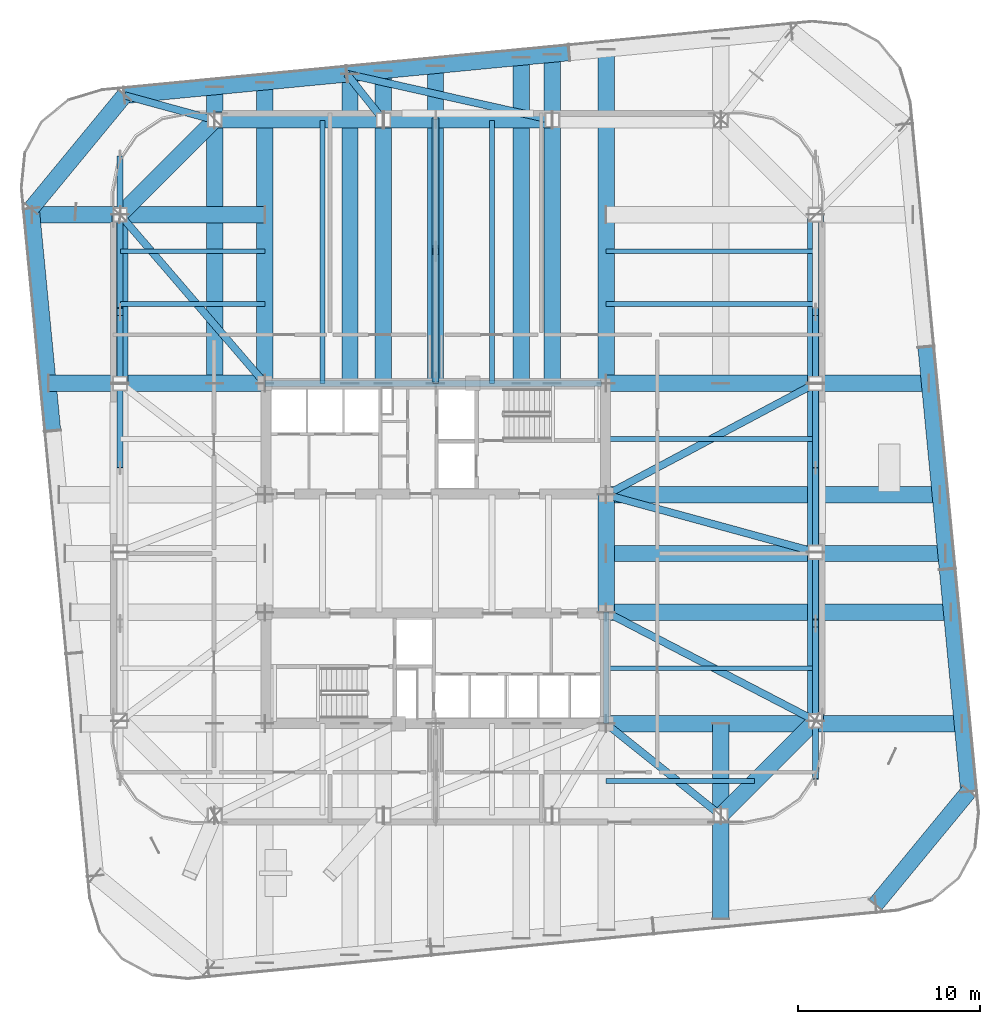
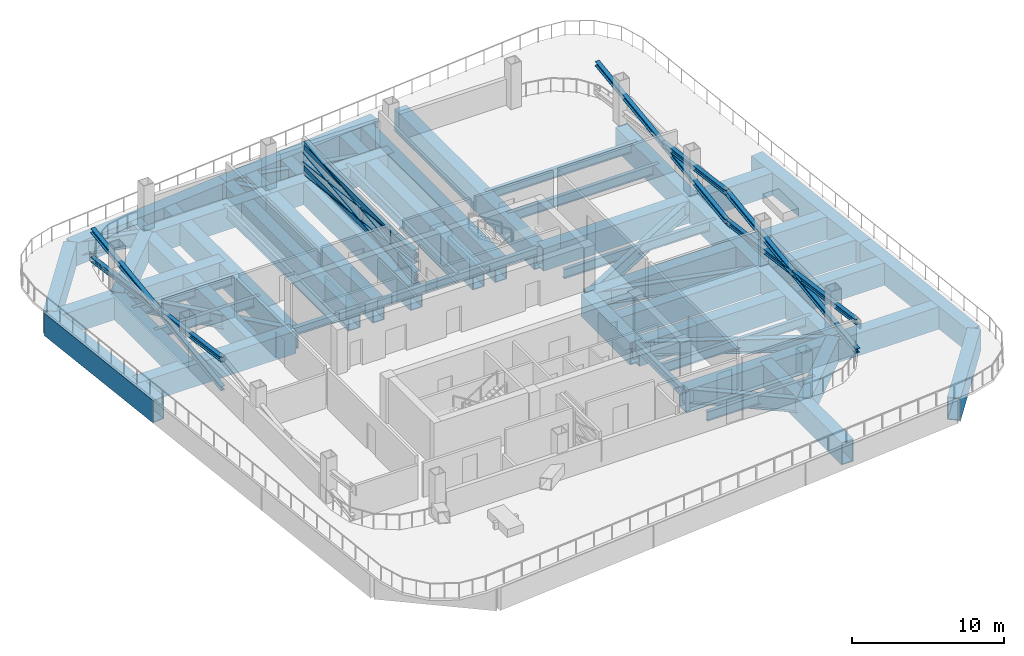
# One storey, part 2 of 15: 51 beams, 13 members.
"""IFC4 building model written with IfcOpenShell, lengths in metres."""

from ifc_helpers import new_model, si_unit, direction, frame, origin, origin_2d, place, context, subcontext, project, spatial, hollow_rectangle, i_section, extrude, material, material_profile, profile_set, type_object, element, save


model = new_model("IFC4")

# Units and contexts
model_context = context("Model", 3, precision=1e-05, world=origin(), true_north=direction((0.0, 1.0)))
body_context = subcontext(model_context, "Body", "Model", "MODEL_VIEW")
ifc_project = project(units=[si_unit("LENGTHUNIT", "METRE"), si_unit("AREAUNIT", "SQUARE_METRE"), si_unit("VOLUMEUNIT", "CUBIC_METRE"), si_unit("PLANEANGLEUNIT", "RADIAN"), si_unit("MASSUNIT", "GRAM", prefix="KILO")], contexts=[model_context])

# Site, building, storey
site_placement = place(None, origin())
site = spatial("IfcSite", under=ifc_project, at=site_placement, CompositionType="ELEMENT")
building_placement = place(site_placement, origin())
building = spatial("IfcBuilding", under=site, at=building_placement, Name="Qhalaya Broadcast Tower", CompositionType="ELEMENT")
storey_placement = place(building_placement, frame((0.0, 0.0, 101.25)))
storey = spatial("IfcBuildingStorey", under=building, at=storey_placement, Name="L29", CompositionType="ELEMENT", Elevation=101.25)

# Members
ifc_material_1 = material(Name="Structural Steel ASTM A572 Grade 50", Category="steel")
ifc_material_profile_1 = material_profile(ifc_material_1, i_section(OverallWidth=0.31298828125, OverallDepth=0.3798828125, WebThickness=0.01806640625, FlangeThickness=0.028076171875, at=origin_2d()), Name="W12X120")
ifc_profile_set_1 = profile_set([ifc_material_profile_1], Name="Structural Steel ASTM A572 Grade 50")
member_type_1 = type_object("IfcMemberType", Name="Belt-Truss Diagonal Brace OB2", PredefinedType="BRACE", material=ifc_profile_set_1)
member_1_placement = place(storey_placement, frame((-17.330078125, 5.31005859375, 0.449951171875), z_axis=(0.0, 0.990920942191, 0.134445849055), x_axis=(-1.0, 0.0, 0.0)))
element("IfcMember", 1, at=member_1_placement, inside=storey, type_object=member_type_1, Name="L29 Belt Truss Continuous Brace W2A", PredefinedType="BRACE", context=body_context, shape_type="SweptSolid", body=[
    extrude(i_section(OverallWidth=0.31298828125, OverallDepth=0.3798828125, WebThickness=0.01806640625, FlangeThickness=0.028076171875, at=origin_2d()), origin(), (0.0, 0.0, 1.0), 17.256591796875),
])
for number, where, z_axis, x_axis, name in (
    (2, (-17.330078125, 5.31005859375, 2.77001953125), (0.0, 0.990922519116, -0.134434225958), (-1.0, 0.0, 0.0), "L29 Belt Truss Split Brace W2B1"),
    (3, (-17.330078125, 14.077880859375, 1.580322265625), (0.0, 0.990922519116, -0.134434225958), (-1.0, 0.0, 0.0), "L29 Belt Truss Split Brace W2B2"),
):
    element("IfcMember", number, at=place(storey_placement, frame(where, z_axis=z_axis, x_axis=x_axis)), inside=storey, type_object=member_type_1, Name=name, PredefinedType="BRACE", context=body_context, shape_type="SweptSolid", body=[
        extrude(i_section(OverallWidth=0.31298828125, OverallDepth=0.3798828125, WebThickness=0.01806640625, FlangeThickness=0.028076171875, at=origin_2d()), origin(), (0.0, 0.0, 1.0), 8.408447265625),
    ])
member_2_placement = place(storey_placement, frame((20.8701171875, -11.7900390625, 0.449951171875), z_axis=(0.0, 0.990921197915, 0.134443964247), x_axis=(-1.0, 0.0, 0.0)))
element("IfcMember", 4, at=member_2_placement, inside=storey, type_object=member_type_1, Name="L29 Belt Truss Continuous Brace E1A", PredefinedType="BRACE", context=body_context, shape_type="SweptSolid", body=[
    extrude(i_section(OverallWidth=0.31298828125, OverallDepth=0.3798828125, WebThickness=0.01806640625, FlangeThickness=0.028076171875, at=origin_2d()), origin(), (0.0, 0.0, 1.0), 17.2568359375),
])
for number, where, z_axis, x_axis, name in (
    (5, (20.8701171875, -11.7900390625, 2.77001953125), (0.0, 0.990922519116, -0.134434225958), (-1.0, 0.0, 0.0), "L29 Belt Truss Split Brace E1B1"),
    (6, (20.8701171875, -3.02197265625, 1.580322265625), (0.0, 0.990922519116, -0.134434225958), (-1.0, 0.0, 0.0), "L29 Belt Truss Split Brace E1B2"),
):
    element("IfcMember", number, at=place(storey_placement, frame(where, z_axis=z_axis, x_axis=x_axis)), inside=storey, type_object=member_type_1, Name=name, PredefinedType="BRACE", context=body_context, shape_type="SweptSolid", body=[
        extrude(i_section(OverallWidth=0.31298828125, OverallDepth=0.3798828125, WebThickness=0.01806640625, FlangeThickness=0.028076171875, at=origin_2d()), origin(), (0.0, 0.0, 1.0), 8.408447265625),
    ])
member_3_placement = place(storey_placement, frame((20.8701171875, 5.31005859375, 0.449951171875), z_axis=(0.0, 0.990920942191, 0.134445849055), x_axis=(-1.0, 0.0, 0.0)))
element("IfcMember", 7, at=member_3_placement, inside=storey, type_object=member_type_1, Name="L29 Belt Truss Continuous Brace E2A", PredefinedType="BRACE", context=body_context, shape_type="SweptSolid", body=[
    extrude(i_section(OverallWidth=0.31298828125, OverallDepth=0.3798828125, WebThickness=0.01806640625, FlangeThickness=0.028076171875, at=origin_2d()), origin(), (0.0, 0.0, 1.0), 17.256591796875),
])
member_4_placement = place(storey_placement, frame((20.8701171875, 5.31005859375, 2.77001953125), z_axis=(0.0, 0.990922519116, -0.134434225958), x_axis=(-1.0, 0.0, 0.0)))
element("IfcMember", 8, at=member_4_placement, inside=storey, type_object=member_type_1, Name="L29 Belt Truss Split Brace E2B1", PredefinedType="BRACE", context=body_context, shape_type="SweptSolid", body=[
    extrude(i_section(OverallWidth=0.31298828125, OverallDepth=0.3798828125, WebThickness=0.01806640625, FlangeThickness=0.028076171875, at=origin_2d()), origin(), (0.0, 0.0, 1.0), 8.408447265625),
])

# Beams
ifc_material_profile_2 = material_profile(ifc_material_1, hollow_rectangle(XDim=0.89990234375, YDim=1.800048828125, WallThickness=0.06005859375, at=origin_2d()), Name="BOX 900x1800x60")
ifc_profile_set_2 = profile_set([ifc_material_profile_2], Name="Structural Steel ASTM A572 Grade 50")
beam_type_1 = type_object("IfcBeamType", Name="Block Cantilever Transfer Box Girder TG1", PredefinedType="USERDEFINED", material=ifc_profile_set_2)
beam_1_placement = place(storey_placement, frame((15.669921875, -13.7900390625, -1.179931640625), z_axis=(0.707123380132, 0.707090181851, 0.0), x_axis=(-0.707090181851, 0.707123380132, 0.0)))
element("IfcBeam", 9, at=beam_1_placement, inside=storey, type_object=beam_type_1, Name="L29 TG1 L29-SPR-04", ObjectType="GIRDER", PredefinedType="USERDEFINED", context=body_context, shape_type="SweptSolid", body=[
    extrude(hollow_rectangle(XDim=0.89990234375, YDim=1.800048828125, WallThickness=0.06005859375, at=origin_2d()), origin(), (0.0, 0.0, 1.0), 7.35400390625),
])
beam_2_placement = place(storey_placement, frame((20.8701171875, -8.590087890625, -1.179931640625), z_axis=(0.0, 1.0, 0.0), x_axis=(-1.0, 0.0, 0.0)))
element("IfcBeam", 10, at=beam_2_placement, inside=storey, type_object=beam_type_1, Name="L29 TG1 L29-SPR-05", ObjectType="GIRDER", PredefinedType="USERDEFINED", context=body_context, shape_type="SweptSolid", body=[
    extrude(hollow_rectangle(XDim=0.89990234375, YDim=1.800048828125, WallThickness=0.06005859375, at=origin_2d()), origin(), (0.0, 0.0, 1.0), 9.266845703125),
])
for number, where, z_axis, x_axis, name in (
    (11, (20.8701171875, 0.6767578125, -1.179931640625), (0.0, 1.0, 0.0), (-1.0, 0.0, 0.0), "L29 TG1 L29-SPR-06"),
    (12, (20.8701171875, 9.943359375, -1.179931640625), (0.0, 1.0, 0.0), (-1.0, 0.0, 0.0), "L29 TG1 L29-SPR-07"),
    (13, (6.4033203125, 24.409912109375, -1.179931640625), (-1.0, 0.0, 0.0), (0.0, -1.0, 0.0), "L29 TG1 L29-SPR-10"),
    (14, (-2.86328125, 24.409912109375, -1.179931640625), (-1.0, 0.0, 0.0), (0.0, -1.0, 0.0), "L29 TG1 L29-SPR-11"),
):
    element("IfcBeam", number, at=place(storey_placement, frame(where, z_axis=z_axis, x_axis=x_axis)), inside=storey, type_object=beam_type_1, Name=name, ObjectType="GIRDER", PredefinedType="USERDEFINED", context=body_context, shape_type="SweptSolid", body=[
        extrude(hollow_rectangle(XDim=0.89990234375, YDim=1.800048828125, WallThickness=0.06005859375, at=origin_2d()), origin(), (0.0, 0.0, 1.0), 9.2666015625),
    ])
beam_3_placement = place(storey_placement, frame((-12.1298828125, 24.409912109375, -1.179931640625), z_axis=(-0.707123380132, -0.707090181851, 0.0), x_axis=(0.707090181851, -0.707123380132, 0.0)))
element("IfcBeam", 15, at=beam_3_placement, inside=storey, type_object=beam_type_1, Name="L29 TG1 L29-SPR-12", ObjectType="GIRDER", PredefinedType="USERDEFINED", context=body_context, shape_type="SweptSolid", body=[
    extrude(hollow_rectangle(XDim=0.89990234375, YDim=1.800048828125, WallThickness=0.06005859375, at=origin_2d()), origin(), (0.0, 0.0, 1.0), 7.35400390625),
])
beam_4_placement = place(storey_placement, frame((-17.330078125, 19.2099609375, -1.179931640625), z_axis=(0.0, -1.0, 0.0), x_axis=(1.0, 0.0, 0.0)))
element("IfcBeam", 16, at=beam_4_placement, inside=storey, type_object=beam_type_1, Name="L29 TG1 L29-SPR-13", ObjectType="GIRDER", PredefinedType="USERDEFINED", context=body_context, shape_type="SweptSolid", body=[
    extrude(hollow_rectangle(XDim=0.89990234375, YDim=1.800048828125, WallThickness=0.06005859375, at=origin_2d()), origin(), (0.0, 0.0, 1.0), 9.2666015625),
])
beam_5_placement = place(storey_placement, frame((24.165283203125, -18.685546875, -1.179931640625), z_axis=(0.636052208619, 0.771646025008, 0.0), x_axis=(-0.771646025008, 0.636052208619, 0.0)))
element("IfcBeam", 17, at=beam_5_placement, inside=storey, type_object=beam_type_1, Name="L29 TG1 L29-TGL-04", ObjectType="GIRDER", PredefinedType="USERDEFINED", context=body_context, shape_type="SweptSolid", body=[
    extrude(hollow_rectangle(XDim=0.89990234375, YDim=1.800048828125, WallThickness=0.06005859375, at=origin_2d()), origin(), (0.0, 0.0, 1.0), 8.06103515625),
])
for number, where, z_axis, x_axis, name in (
    (18, (29.29248046875, -12.46533203125, -1.179931640625), (-0.095831866369, 0.995397535354, 0.0), (-0.995397535354, -0.095831866369, 0.0), "L29 TG1 L29-TGL-05"),
    (19, (28.116943359375, -0.255126953125, -1.179931640625), (-0.095851586307, 0.99539563662, 0.0), (-0.99539563662, -0.095851586307, 0.0), "L29 TG1 L29-TGL-06"),
    (20, (7.335205078125, 28.116943359375, -1.179931640625), (-0.99539563662, -0.095851586307, 0.0), (0.095851586307, -0.99539563662, 0.0), "L29 TG1 L29-TGL-10"),
    (21, (-4.875, 26.941162109375, -1.179931640625), (-0.99539563662, -0.095851586307, 0.0), (0.095851586307, -0.99539563662, 0.0), "L29 TG1 L29-TGL-11"),
):
    element("IfcBeam", number, at=place(storey_placement, frame(where, z_axis=z_axis, x_axis=x_axis)), inside=storey, type_object=beam_type_1, Name=name, ObjectType="GIRDER", PredefinedType="USERDEFINED", context=body_context, shape_type="SweptSolid", body=[
        extrude(hollow_rectangle(XDim=0.89990234375, YDim=1.800048828125, WallThickness=0.06005859375, at=origin_2d()), origin(), (0.0, 0.0, 1.0), 12.2666015625),
    ])
beam_6_placement = place(storey_placement, frame((-17.085205078125, 25.765380859375, -1.179931640625), z_axis=(-0.636085107008, -0.771618906354, 0.0), x_axis=(0.771618906354, -0.636085107008, 0.0)))
element("IfcBeam", 22, at=beam_6_placement, inside=storey, type_object=beam_type_1, Name="L29 TG1 L29-TGL-12", ObjectType="GIRDER", PredefinedType="USERDEFINED", context=body_context, shape_type="SweptSolid", body=[
    extrude(hollow_rectangle(XDim=0.89990234375, YDim=1.800048828125, WallThickness=0.06005859375, at=origin_2d()), origin(), (0.0, 0.0, 1.0), 8.06103515625),
])
beam_7_placement = place(storey_placement, frame((-22.212646484375, 19.54541015625, -1.179931640625), z_axis=(0.095851586307, -0.99539563662, 0.0), x_axis=(0.99539563662, 0.095851586307, 0.0)))
element("IfcBeam", 23, at=beam_7_placement, inside=storey, type_object=beam_type_1, Name="L29 TG1 L29-TGL-13", ObjectType="GIRDER", PredefinedType="USERDEFINED", context=body_context, shape_type="SweptSolid", body=[
    extrude(hollow_rectangle(XDim=0.89990234375, YDim=1.800048828125, WallThickness=0.06005859375, at=origin_2d()), origin(), (0.0, 0.0, 1.0), 12.2666015625),
])
beam_8_placement = place(storey_placement, frame((-9.375, 9.949951171875, -1.179931640625), z_axis=(0.0, 1.0, 0.0), x_axis=(-1.0, 0.0, 0.0)))
element("IfcBeam", 24, at=beam_8_placement, inside=storey, type_object=beam_type_1, Name="L29 TG1 L29-TGINW-1", ObjectType="GIRDER", PredefinedType="USERDEFINED", context=body_context, shape_type="SweptSolid", body=[
    extrude(hollow_rectangle(XDim=0.89990234375, YDim=1.800048828125, WallThickness=0.06005859375, at=origin_2d()), origin(), (0.0, 0.0, 1.0), 16.517822265625),
])
beam_9_placement = place(storey_placement, frame((9.375, 9.949951171875, -1.179931640625), z_axis=(0.0, 1.0, 0.0), x_axis=(-1.0, 0.0, 0.0)))
element("IfcBeam", 25, at=beam_9_placement, inside=storey, type_object=beam_type_1, Name="L29 TG1 L29-TGINE-1", ObjectType="GIRDER", PredefinedType="USERDEFINED", context=body_context, shape_type="SweptSolid", body=[
    extrude(hollow_rectangle(XDim=0.89990234375, YDim=1.800048828125, WallThickness=0.06005859375, at=origin_2d()), origin(), (0.0, 0.0, 1.0), 18.3232421875),
])
beam_10_placement = place(storey_placement, frame((0.0, 9.949951171875, -1.179931640625), z_axis=(0.0, 1.0, 0.0), x_axis=(-1.0, 0.0, 0.0)))
element("IfcBeam", 26, at=beam_10_placement, inside=storey, type_object=beam_type_1, Name="L29 TG1 L29-TGIMN-1", ObjectType="GIRDER", PredefinedType="USERDEFINED", context=body_context, shape_type="SweptSolid", body=[
    extrude(hollow_rectangle(XDim=0.89990234375, YDim=1.800048828125, WallThickness=0.06005859375, at=origin_2d()), origin(), (0.0, 0.0, 1.0), 17.42041015625),
])
beam_11_placement = place(storey_placement, frame((-4.699951171875, 9.949951171875, -1.179931640625), z_axis=(0.0, 1.0, 0.0), x_axis=(-1.0, 0.0, 0.0)))
element("IfcBeam", 27, at=beam_11_placement, inside=storey, type_object=beam_type_1, Name="L29 TG1 L29-TGIMNW-1", ObjectType="GIRDER", PredefinedType="USERDEFINED", context=body_context, shape_type="SweptSolid", body=[
    extrude(hollow_rectangle(XDim=0.89990234375, YDim=1.800048828125, WallThickness=0.06005859375, at=origin_2d()), origin(), (0.0, 0.0, 1.0), 16.968017578125),
])
beam_12_placement = place(storey_placement, frame((4.699951171875, 9.949951171875, -1.179931640625), z_axis=(0.0, 1.0, 0.0), x_axis=(-1.0, 0.0, 0.0)))
element("IfcBeam", 28, at=beam_12_placement, inside=storey, type_object=beam_type_1, Name="L29 TG1 L29-TGIMNE-1", ObjectType="GIRDER", PredefinedType="USERDEFINED", context=body_context, shape_type="SweptSolid", body=[
    extrude(hollow_rectangle(XDim=0.89990234375, YDim=1.800048828125, WallThickness=0.06005859375, at=origin_2d()), origin(), (0.0, 0.0, 1.0), 17.873046875),
])
beam_13_placement = place(storey_placement, frame((9.375, 0.60009765625, -1.179931640625), z_axis=(1.0, 0.0, 0.0), x_axis=(0.0, 1.0, 0.0)))
element("IfcBeam", 29, at=beam_13_placement, inside=storey, type_object=beam_type_1, Name="L29 TG1 L29-TGIYE-1", ObjectType="GIRDER", PredefinedType="USERDEFINED", context=body_context, shape_type="SweptSolid", body=[
    extrude(hollow_rectangle(XDim=0.89990234375, YDim=1.800048828125, WallThickness=0.06005859375, at=origin_2d()), origin(), (0.0, 0.0, 1.0), 18.619384765625),
])
beam_14_placement = place(storey_placement, frame((9.375, -2.625, -1.179931640625), z_axis=(0.0, 1.0, 0.0), x_axis=(-1.0, 0.0, 0.0)))
element("IfcBeam", 30, at=beam_14_placement, inside=storey, type_object=beam_type_1, Name="L29 TG1 L29-TGIME-1", ObjectType="GIRDER", PredefinedType="USERDEFINED", context=body_context, shape_type="SweptSolid", body=[
    extrude(hollow_rectangle(XDim=0.89990234375, YDim=1.800048828125, WallThickness=0.06005859375, at=origin_2d()), origin(), (0.0, 0.0, 1.0), 6.449951171875),
])
beam_15_placement = place(storey_placement, frame((9.375, -8.75, -1.179931640625), z_axis=(1.0, 0.0, 0.0), x_axis=(0.0, 1.0, 0.0)))
element("IfcBeam", 31, at=beam_15_placement, inside=storey, type_object=beam_type_1, Name="L29 TG1 L29-TGIY1E-1", ObjectType="GIRDER", PredefinedType="USERDEFINED", context=body_context, shape_type="SweptSolid", body=[
    extrude(hollow_rectangle(XDim=0.89990234375, YDim=1.800048828125, WallThickness=0.06005859375, at=origin_2d()), origin(), (0.0, 0.0, 1.0), 19.519775390625),
])
beam_16_placement = place(storey_placement, frame((9.375, -2.625, -1.179931640625), z_axis=(1.0, 0.0, 0.0), x_axis=(0.0, 1.0, 0.0)))
element("IfcBeam", 32, at=beam_16_placement, inside=storey, type_object=beam_type_1, Name="L29 TG1 L29-TGIY2E-1", ObjectType="GIRDER", PredefinedType="USERDEFINED", context=body_context, shape_type="SweptSolid", body=[
    extrude(hollow_rectangle(XDim=0.89990234375, YDim=1.800048828125, WallThickness=0.06005859375, at=origin_2d()), origin(), (0.0, 0.0, 1.0), 18.929931640625),
])
beam_17_placement = place(storey_placement, frame((9.375, 3.824951171875, -1.179931640625), z_axis=(1.0, 0.0, 0.0), x_axis=(0.0, 1.0, 0.0)))
element("IfcBeam", 33, at=beam_17_placement, inside=storey, type_object=beam_type_1, Name="L29 TG1 L29-TGIY3E-1", ObjectType="GIRDER", PredefinedType="USERDEFINED", context=body_context, shape_type="SweptSolid", body=[
    extrude(hollow_rectangle(XDim=0.89990234375, YDim=1.800048828125, WallThickness=0.06005859375, at=origin_2d()), origin(), (0.0, 0.0, 1.0), 18.308837890625),
])
beam_18_placement = place(storey_placement, frame((-21.24853515625, 9.949951171875, -1.179931640625), z_axis=(1.0, 0.0, 0.0), x_axis=(0.0, 1.0, 0.0)))
element("IfcBeam", 34, at=beam_18_placement, inside=storey, type_object=beam_type_1, Name="L29 TG1 L29-TGIY4W-1", ObjectType="GIRDER", PredefinedType="USERDEFINED", context=body_context, shape_type="SweptSolid", body=[
    extrude(hollow_rectangle(XDim=0.89990234375, YDim=1.800048828125, WallThickness=0.06005859375, at=origin_2d()), origin(), (0.0, 0.0, 1.0), 11.87353515625),
])
beam_19_placement = place(storey_placement, frame((9.375, 9.949951171875, -1.179931640625), z_axis=(1.0, 0.0, 0.0), x_axis=(0.0, 1.0, 0.0)))
element("IfcBeam", 35, at=beam_19_placement, inside=storey, type_object=beam_type_1, Name="L29 TG1 L29-TGIY4E-1", ObjectType="GIRDER", PredefinedType="USERDEFINED", context=body_context, shape_type="SweptSolid", body=[
    extrude(hollow_rectangle(XDim=0.89990234375, YDim=1.800048828125, WallThickness=0.06005859375, at=origin_2d()), origin(), (0.0, 0.0, 1.0), 17.718994140625),
])
beam_20_placement = place(storey_placement, frame((15.669921875, -19.46337890625, -1.179931640625), z_axis=(0.0, 1.0, 0.0), x_axis=(-1.0, 0.0, 0.0)))
element("IfcBeam", 36, at=beam_20_placement, inside=storey, type_object=beam_type_1, Name="L29 Spanning Transfer Box Girder 04", ObjectType="GIRDER", PredefinedType="USERDEFINED", context=body_context, shape_type="SweptSolid", body=[
    extrude(hollow_rectangle(XDim=0.89990234375, YDim=1.800048828125, WallThickness=0.06005859375, at=origin_2d()), origin(), (0.0, 0.0, 1.0), 10.71337890625),
])
beam_21_placement = place(storey_placement, frame((6.4033203125, 9.949951171875, -1.179931640625), z_axis=(0.0, 1.0, 0.0), x_axis=(-1.0, 0.0, 0.0)))
element("IfcBeam", 37, at=beam_21_placement, inside=storey, type_object=beam_type_1, Name="L29 Spanning Transfer Box Girder 10", ObjectType="GIRDER", PredefinedType="USERDEFINED", context=body_context, shape_type="SweptSolid", body=[
    extrude(hollow_rectangle(XDim=0.89990234375, YDim=1.800048828125, WallThickness=0.06005859375, at=origin_2d()), origin(), (0.0, 0.0, 1.0), 18.037109375),
])
beam_22_placement = place(storey_placement, frame((-2.86328125, 9.949951171875, -1.179931640625), z_axis=(0.0, 1.0, 0.0), x_axis=(-1.0, 0.0, 0.0)))
element("IfcBeam", 38, at=beam_22_placement, inside=storey, type_object=beam_type_1, Name="L29 Spanning Transfer Box Girder 11", ObjectType="GIRDER", PredefinedType="USERDEFINED", context=body_context, shape_type="SweptSolid", body=[
    extrude(hollow_rectangle(XDim=0.89990234375, YDim=1.800048828125, WallThickness=0.06005859375, at=origin_2d()), origin(), (0.0, 0.0, 1.0), 17.144775390625),
])
beam_23_placement = place(storey_placement, frame((-12.1298828125, 9.949951171875, -1.179931640625), z_axis=(0.0, 1.0, 0.0), x_axis=(-1.0, 0.0, 0.0)))
element("IfcBeam", 39, at=beam_23_placement, inside=storey, type_object=beam_type_1, Name="L29 Spanning Transfer Box Girder 12", ObjectType="GIRDER", PredefinedType="USERDEFINED", context=body_context, shape_type="SweptSolid", body=[
    extrude(hollow_rectangle(XDim=0.89990234375, YDim=1.800048828125, WallThickness=0.06005859375, at=origin_2d()), origin(), (0.0, 0.0, 1.0), 16.25244140625),
])
beam_24_placement = place(storey_placement, frame((-22.14013671875, 19.2099609375, -1.179931640625), z_axis=(1.0, 0.0, 0.0), x_axis=(0.0, 1.0, 0.0)))
element("IfcBeam", 40, at=beam_24_placement, inside=storey, type_object=beam_type_1, Name="L29 Spanning Transfer Box Girder 13", ObjectType="GIRDER", PredefinedType="USERDEFINED", context=body_context, shape_type="SweptSolid", body=[
    extrude(hollow_rectangle(XDim=0.89990234375, YDim=1.800048828125, WallThickness=0.06005859375, at=origin_2d()), origin(), (0.0, 0.0, 1.0), 12.76513671875),
])
ifc_material_2 = material(Name="Structural Steel ASTM A992 Grade 50", Category="steel")
ifc_material_profile_3 = material_profile(ifc_material_2, i_section(OverallWidth=0.323974609375, OverallDepth=0.612060546875, WebThickness=0.0126953125, FlangeThickness=0.01904296875, at=origin_2d()), Name="W24X104")
ifc_profile_set_3 = profile_set([ifc_material_profile_3], Name="Structural Steel ASTM A992 Grade 50")
beam_type_2 = type_object("IfcBeamType", Name="Core Frame Tie Beam B04", PredefinedType="BEAM", material=ifc_profile_set_3)
beam_25_placement = place(storey_placement, frame((-9.375, 9.949951171875, -0.5859375), z_axis=(1.0, 0.0, 0.0), x_axis=(0.0, 1.0, 0.0)))
element("IfcBeam", 41, at=beam_25_placement, inside=storey, type_object=beam_type_2, Name="L29 B04 L29-CCN3", PredefinedType="BEAM", context=body_context, shape_type="SweptSolid", body=[
    extrude(i_section(OverallWidth=0.323974609375, OverallDepth=0.612060546875, WebThickness=0.0126953125, FlangeThickness=0.01904296875, at=origin_2d()), origin(), (0.0, 0.0, 1.0), 18.4951171875),
])
beam_26_placement = place(storey_placement, frame((9.375, -8.75, -0.5859375), z_axis=(0.0, 1.0, 0.0), x_axis=(-1.0, 0.0, 0.0)))
element("IfcBeam", 42, at=beam_26_placement, inside=storey, type_object=beam_type_2, Name="L29 B04 L29-CCS2", PredefinedType="BEAM", context=body_context, shape_type="SweptSolid", body=[
    extrude(i_section(OverallWidth=0.323974609375, OverallDepth=0.612060546875, WebThickness=0.0126953125, FlangeThickness=0.01904296875, at=origin_2d()), origin(), (0.0, 0.0, 1.0), 6.125),
])

# Members
ifc_material_profile_4 = material_profile(ifc_material_1, i_section(OverallWidth=0.40087890625, OverallDepth=1.0009765625, WebThickness=0.01904296875, FlangeThickness=0.0361328125, at=origin_2d()), Name="W40X249")
ifc_profile_set_4 = profile_set([ifc_material_profile_4], Name="Structural Steel ASTM A572 Grade 50")
member_type_2 = type_object("IfcMemberType", Name="Core-to-Perimeter Outrigger Brace OB1", PredefinedType="BRACE", material=ifc_profile_set_4)
member_5_placement = place(storey_placement, frame((0.0, 9.949951171875, 0.449951171875), z_axis=(0.0, 0.993285914912, 0.115685311242), x_axis=(-1.0, 0.0, 0.0)))
element("IfcMember", 43, at=member_5_placement, inside=storey, type_object=member_type_2, Name="L29 Outrigger Continuous Diagonal NCA", PredefinedType="BRACE", context=body_context, shape_type="SweptSolid", body=[
    extrude(i_section(OverallWidth=0.40087890625, OverallDepth=1.0009765625, WebThickness=0.01904296875, FlangeThickness=0.0361328125, at=origin_2d()), origin(), (0.0, 0.0, 1.0), 14.608154296875),
])
for number, where, z_axis, x_axis, name in (
    (44, (0.0, 9.949951171875, 2.139892578125), (0.0, 0.993286985943, -0.11567611489), (-1.0, 0.0, 0.0), "L29 Outrigger Split Diagonal NCB1"),
    (45, (0.0, 17.443359375, 1.26708984375), (0.0, 0.993286985943, -0.11567611489), (-1.0, 0.0, 0.0), "L29 Outrigger Split Diagonal NCB2"),
):
    element("IfcMember", number, at=place(storey_placement, frame(where, z_axis=z_axis, x_axis=x_axis)), inside=storey, type_object=member_type_2, Name=name, PredefinedType="BRACE", context=body_context, shape_type="SweptSolid", body=[
        extrude(i_section(OverallWidth=0.40087890625, OverallDepth=1.0009765625, WebThickness=0.01904296875, FlangeThickness=0.0361328125, at=origin_2d()), origin(), (0.0, 0.0, 1.0), 7.06396484375),
    ])
ifc_material_profile_5 = material_profile(ifc_material_1, hollow_rectangle(XDim=0.300048828125, YDim=0.39990234375, WallThickness=0.02001953125, at=origin_2d()), Name="HSS 300x400x20")
ifc_profile_set_5 = profile_set([ifc_material_profile_5], Name="Structural Steel ASTM A572 Grade 50")
member_type_3 = type_object("IfcMemberType", Name="Outrigger & Belt-Truss Chord CH1", PredefinedType="CHORD", material=ifc_profile_set_5)
for number, where, z_axis, x_axis, name in (
    (46, (0.0, 9.949951171875, 0.449951171875), (0.0, 1.0, 0.0), (-1.0, 0.0, 0.0), "L29 Outrigger Bottom Chord NC"),
    (47, (0.0, 9.949951171875, 2.139892578125), (0.0, 1.0, 0.0), (-1.0, 0.0, 0.0), "L29 Outrigger Top Chord NC"),
):
    element("IfcMember", number, at=place(storey_placement, frame(where, z_axis=z_axis, x_axis=x_axis)), inside=storey, type_object=member_type_3, Name=name, PredefinedType="CHORD", context=body_context, shape_type="SweptSolid", body=[
        extrude(hollow_rectangle(XDim=0.300048828125, YDim=0.39990234375, WallThickness=0.02001953125, at=origin_2d()), origin(), (0.0, 0.0, 1.0), 14.510009765625),
    ])

# Beams
ifc_material_profile_6 = material_profile(ifc_material_2, i_section(OverallWidth=0.26708984375, OverallDepth=0.761962890625, WebThickness=0.014404296875, FlangeThickness=0.021484375, at=origin_2d()), Name="W30X116")
ifc_profile_set_6 = profile_set([ifc_material_profile_6], Name="Structural Steel ASTM A992 Grade 50")
beam_type_3 = type_object("IfcBeamType", Name="Plant & Server Floor Beam B02", PredefinedType="BEAM", material=ifc_profile_set_6)
for number, where, z_axis, x_axis, name in (
    (48, (-6.199951171875, 9.949951171875, -0.660888671875), (0.0, 1.0, 0.0), (-1.0, 0.0, 0.0), "L29 B02 L29-JNN1-1"),
    (49, (3.10009765625, 9.949951171875, -0.660888671875), (0.0, 1.0, 0.0), (-1.0, 0.0, 0.0), "L29 B02 L29-JNN4-1"),
):
    element("IfcBeam", number, at=place(storey_placement, frame(where, z_axis=z_axis, x_axis=x_axis)), inside=storey, type_object=beam_type_3, Name=name, PredefinedType="BEAM", context=body_context, shape_type="SweptSolid", body=[
        extrude(i_section(OverallWidth=0.26708984375, OverallDepth=0.761962890625, WebThickness=0.014404296875, FlangeThickness=0.021484375, at=origin_2d()), origin(), (0.0, 0.0, 1.0), 14.43994140625),
    ])
beam_27_placement = place(storey_placement, frame((9.375, -11.89990234375, -0.660888671875), z_axis=(1.0, 0.0, 0.0), x_axis=(0.0, 1.0, 0.0)))
element("IfcBeam", 50, at=beam_27_placement, inside=storey, type_object=beam_type_3, Name="L29 B02 L29-JWE2E-1", PredefinedType="BEAM", context=body_context, shape_type="SweptSolid", body=[
    extrude(i_section(OverallWidth=0.26708984375, OverallDepth=0.761962890625, WebThickness=0.014404296875, FlangeThickness=0.021484375, at=origin_2d()), origin(), (0.0, 0.0, 1.0), 8.15673828125),
])
for number, where, z_axis, x_axis, name in (
    (51, (9.375, -5.699951171875, -0.660888671875), (1.0, 0.0, 0.0), (0.0, 1.0, 0.0), "L29 B02 L29-JWE3E-1"),
    (52, (9.375, 6.89990234375, -0.660888671875), (1.0, 0.0, 0.0), (0.0, 1.0, 0.0), "L29 B02 L29-JWE5E-1"),
):
    element("IfcBeam", number, at=place(storey_placement, frame(where, z_axis=z_axis, x_axis=x_axis)), inside=storey, type_object=beam_type_3, Name=name, PredefinedType="BEAM", context=body_context, shape_type="SweptSolid", body=[
        extrude(i_section(OverallWidth=0.26708984375, OverallDepth=0.761962890625, WebThickness=0.014404296875, FlangeThickness=0.021484375, at=origin_2d()), origin(), (0.0, 0.0, 1.0), 11.47509765625),
    ])
beam_28_placement = place(storey_placement, frame((-17.31005859375, 14.300048828125, -0.660888671875), z_axis=(1.0, 0.0, 0.0), x_axis=(0.0, 1.0, 0.0)))
element("IfcBeam", 53, at=beam_28_placement, inside=storey, type_object=beam_type_3, Name="L29 B02 L29-JWE6W-1", PredefinedType="BEAM", context=body_context, shape_type="SweptSolid", body=[
    extrude(i_section(OverallWidth=0.26708984375, OverallDepth=0.761962890625, WebThickness=0.014404296875, FlangeThickness=0.021484375, at=origin_2d()), origin(), (0.0, 0.0, 1.0), 7.93505859375),
])
beam_29_placement = place(storey_placement, frame((9.375, 14.300048828125, -0.660888671875), z_axis=(1.0, 0.0, 0.0), x_axis=(0.0, 1.0, 0.0)))
element("IfcBeam", 54, at=beam_29_placement, inside=storey, type_object=beam_type_3, Name="L29 B02 L29-JWE6E-1", PredefinedType="BEAM", context=body_context, shape_type="SweptSolid", body=[
    extrude(i_section(OverallWidth=0.26708984375, OverallDepth=0.761962890625, WebThickness=0.014404296875, FlangeThickness=0.021484375, at=origin_2d()), origin(), (0.0, 0.0, 1.0), 11.47509765625),
])
beam_30_placement = place(storey_placement, frame((-17.31005859375, 17.199951171875, -0.660888671875), z_axis=(1.0, 0.0, 0.0), x_axis=(0.0, 1.0, 0.0)))
element("IfcBeam", 55, at=beam_30_placement, inside=storey, type_object=beam_type_3, Name="L29 B02 L29-JWE7W-1", PredefinedType="BEAM", context=body_context, shape_type="SweptSolid", body=[
    extrude(i_section(OverallWidth=0.26708984375, OverallDepth=0.761962890625, WebThickness=0.014404296875, FlangeThickness=0.021484375, at=origin_2d()), origin(), (0.0, 0.0, 1.0), 7.93505859375),
])
beam_31_placement = place(storey_placement, frame((9.375, 17.199951171875, -0.660888671875), z_axis=(1.0, 0.0, 0.0), x_axis=(0.0, 1.0, 0.0)))
element("IfcBeam", 56, at=beam_31_placement, inside=storey, type_object=beam_type_3, Name="L29 B02 L29-JWE7E-1", PredefinedType="BEAM", context=body_context, shape_type="SweptSolid", body=[
    extrude(i_section(OverallWidth=0.26708984375, OverallDepth=0.761962890625, WebThickness=0.014404296875, FlangeThickness=0.021484375, at=origin_2d()), origin(), (0.0, 0.0, 1.0), 11.47509765625),
])
ifc_material_profile_7 = material_profile(ifc_material_2, i_section(OverallWidth=0.404052734375, OverallDepth=1.117919921875, WebThickness=0.026123046875, FlangeThickness=0.044921875, at=origin_2d()), Name="W44X335")
ifc_profile_set_7 = profile_set([ifc_material_profile_7], Name="Structural Steel ASTM A992 Grade 50")
beam_type_4 = type_object("IfcBeamType", Name="Podium Long-Span Primary Girder PG1", PredefinedType="USERDEFINED", material=ifc_profile_set_7)
beam_32_placement = place(storey_placement, frame((9.375, -8.75, -0.839111328125), z_axis=(0.780620637347, -0.625005136417, 0.0), x_axis=(0.625005136417, 0.780620637347, 0.0)))
element("IfcBeam", 57, at=beam_32_placement, inside=storey, type_object=beam_type_4, Name="L29 Column-to-Column Moment Tie Girder 04-1", ObjectType="GIRDER", PredefinedType="USERDEFINED", context=body_context, shape_type="SweptSolid", body=[
    extrude(i_section(OverallWidth=0.404052734375, OverallDepth=1.117919921875, WebThickness=0.026123046875, FlangeThickness=0.044921875, at=origin_2d()), origin(), (0.0, 0.0, 1.0), 8.06396484375),
])
beam_33_placement = place(storey_placement, frame((9.375, -2.625, -0.839111328125), z_axis=(0.887607545836, -0.460600526026, 0.0), x_axis=(0.460600526026, 0.887607545836, 0.0)))
element("IfcBeam", 58, at=beam_33_placement, inside=storey, type_object=beam_type_4, Name="L29 Column-to-Column Moment Tie Girder 05-2", ObjectType="GIRDER", PredefinedType="USERDEFINED", context=body_context, shape_type="SweptSolid", body=[
    extrude(i_section(OverallWidth=0.404052734375, OverallDepth=1.117919921875, WebThickness=0.026123046875, FlangeThickness=0.044921875, at=origin_2d()), origin(), (0.0, 0.0, 1.0), 12.95068359375),
])
beam_34_placement = place(storey_placement, frame((9.375, 3.824951171875, -0.839111328125), z_axis=(0.964482953901, -0.264145095798, 0.0), x_axis=(0.264145095798, 0.964482953901, 0.0)))
element("IfcBeam", 59, at=beam_34_placement, inside=storey, type_object=beam_type_4, Name="L29 Column-to-Column Moment Tie Girder 06-1", ObjectType="GIRDER", PredefinedType="USERDEFINED", context=body_context, shape_type="SweptSolid", body=[
    extrude(i_section(OverallWidth=0.404052734375, OverallDepth=1.117919921875, WebThickness=0.026123046875, FlangeThickness=0.044921875, at=origin_2d()), origin(), (0.0, 0.0, 1.0), 11.91845703125),
])
beam_35_placement = place(storey_placement, frame((9.375, 3.824951171875, -0.839111328125), z_axis=(0.882745504881, 0.46985143781, 0.0), x_axis=(-0.46985143781, 0.882745504881, 0.0)))
element("IfcBeam", 60, at=beam_35_placement, inside=storey, type_object=beam_type_4, Name="L29 Column-to-Column Moment Tie Girder 07-1", ObjectType="GIRDER", PredefinedType="USERDEFINED", context=body_context, shape_type="SweptSolid", body=[
    extrude(i_section(OverallWidth=0.404052734375, OverallDepth=1.117919921875, WebThickness=0.026123046875, FlangeThickness=0.044921875, at=origin_2d()), origin(), (0.0, 0.0, 1.0), 13.02197265625),
])
beam_36_placement = place(storey_placement, frame((-4.875, 26.941162109375, -0.839111328125), z_axis=(0.975727674118, -0.218987456171, 0.0), x_axis=(0.218987456171, 0.975727674118, 0.0)))
element("IfcBeam", 61, at=beam_36_placement, inside=storey, type_object=beam_type_4, Name="L29 Column-to-Column Moment Tie Girder 10-2", ObjectType="GIRDER", PredefinedType="USERDEFINED", context=body_context, shape_type="SweptSolid", body=[
    extrude(i_section(OverallWidth=0.404052734375, OverallDepth=1.117919921875, WebThickness=0.026123046875, FlangeThickness=0.044921875, at=origin_2d()), origin(), (0.0, 0.0, 1.0), 11.558837890625),
])
beam_37_placement = place(storey_placement, frame((-4.875, 26.941162109375, -0.839111328125), z_axis=(0.62218717338, -0.782868521069, 0.0), x_axis=(0.782868521069, 0.62218717338, 0.0)))
element("IfcBeam", 62, at=beam_37_placement, inside=storey, type_object=beam_type_4, Name="L29 Column-to-Column Moment Tie Girder 11-1", ObjectType="GIRDER", PredefinedType="USERDEFINED", context=body_context, shape_type="SweptSolid", body=[
    extrude(i_section(OverallWidth=0.404052734375, OverallDepth=1.117919921875, WebThickness=0.026123046875, FlangeThickness=0.044921875, at=origin_2d()), origin(), (0.0, 0.0, 1.0), 3.2333984375),
])
beam_38_placement = place(storey_placement, frame((-17.085205078125, 25.765380859375, -0.839111328125), z_axis=(0.964565048693, -0.263845156937, 0.0), x_axis=(0.263845156937, 0.964565048693, 0.0)))
element("IfcBeam", 63, at=beam_38_placement, inside=storey, type_object=beam_type_4, Name="L29 Column-to-Column Moment Tie Girder 12-1", ObjectType="GIRDER", PredefinedType="USERDEFINED", context=body_context, shape_type="SweptSolid", body=[
    extrude(i_section(OverallWidth=0.404052734375, OverallDepth=1.117919921875, WebThickness=0.026123046875, FlangeThickness=0.044921875, at=origin_2d()), origin(), (0.0, 0.0, 1.0), 5.137451171875),
])
beam_39_placement = place(storey_placement, frame((-9.375, 9.949951171875, -0.839111328125), z_axis=(-0.651637501979, 0.758530530707, 0.0), x_axis=(-0.758530530707, -0.651637501979, 0.0)))
element("IfcBeam", 64, at=beam_39_placement, inside=storey, type_object=beam_type_4, Name="L29 Column-to-Column Moment Tie Girder 13-1", ObjectType="GIRDER", PredefinedType="USERDEFINED", context=body_context, shape_type="SweptSolid", body=[
    extrude(i_section(OverallWidth=0.404052734375, OverallDepth=1.117919921875, WebThickness=0.026123046875, FlangeThickness=0.044921875, at=origin_2d()), origin(), (0.0, 0.0, 1.0), 12.207763671875),
])

save(model, "model.ifc")
